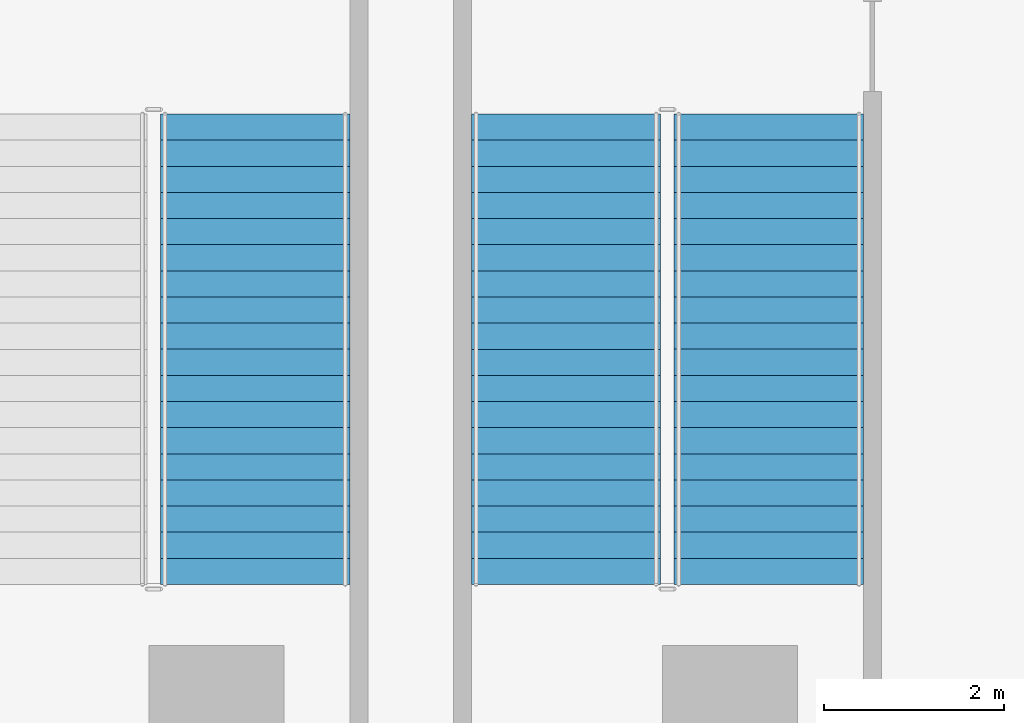
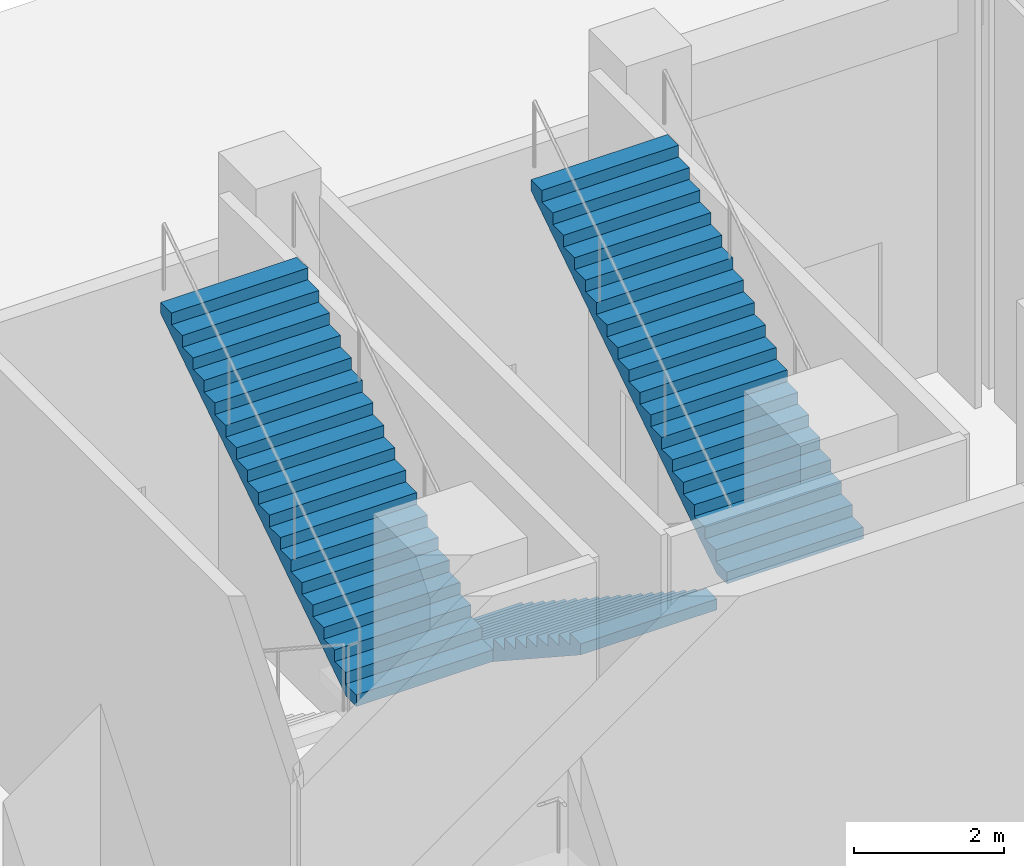
# One storey, part 22 of 27: 3 stair flights, 2 elements without a shape of their own.
"""IFC4 building model written with IfcOpenShell, lengths in metres."""

import ifcopenshell
import ifcopenshell.guid

model = None  # the IFC model being written
_history = None  # IfcOwnerHistory: only IFC2X3 demands one
_inside = {}  # id of a spatial element -> (the spatial element, [elements in it])
_under = {}  # id of a project, library or spatial element -> (it, [spatial elements below it])
_declared = {}  # id of a project -> (the project, [libraries it declares])
_typed = {}  # id of a type object -> (the type object, [elements of that type])
_made_of = {}  # id of a material, layer set ... -> (it, [elements and type objects made of it])


def new_model(schema):
    """Start an empty IFC model of exactly this schema.

    Asked for "IFC4X3", IfcOpenShell would pick the latest addendum, in which some entities
    have other attributes; the version numbers below select the first issue.
    IFC2X3 requires an IfcOwnerHistory on every rooted entity: one is made here for all.
    """
    global model, _history
    if schema == "IFC4X3":
        model = ifcopenshell.file(schema_version=(4, 3, 0, 0))
    else:
        model = ifcopenshell.file(schema=schema)
    _inside.clear()
    _under.clear()
    _declared.clear()
    _typed.clear()
    _made_of.clear()
    _history = None
    if model.schema == "IFC2X3":
        org = make("IfcOrganization", Name="unknown")
        user = make(
            "IfcPersonAndOrganization",
            ThePerson=make("IfcPerson", FamilyName="unknown"),
            TheOrganization=org,
        )
        app = make(
            "IfcApplication",
            ApplicationDeveloper=org,
            Version="unknown",
            ApplicationFullName="unknown",
            ApplicationIdentifier="unknown",
        )
        _history = make(
            "IfcOwnerHistory",
            OwningUser=user,
            OwningApplication=app,
            ChangeAction="ADDED",
            CreationDate=0,
        )
    return model


def make(cls, **values):
    """One entity of the class cls with the attributes given. An attribute that is None is left unset."""
    return model.create_entity(
        cls, **{name: value for name, value in values.items() if value is not None}
    )


def rooted(cls, **values):
    """An entity with a GlobalId (a new one), such as an element, a storey or a relation."""
    return make(cls, GlobalId=ifcopenshell.guid.new(), OwnerHistory=_history, **values)


def si_unit(unit_type, name, prefix=None):
    """IfcSIUnit, for example si_unit("LENGTHUNIT", "METRE", prefix="MILLI")."""
    return make("IfcSIUnit", UnitType=unit_type, Prefix=prefix, Name=name)


def assignment(units):
    """IfcUnitAssignment: the units of a project."""
    return None if units is None else make("IfcUnitAssignment", Units=units)


def point(xyz):
    """IfcCartesianPoint."""
    return None if xyz is None else make("IfcCartesianPoint", Coordinates=xyz)


def direction(xyz):
    """IfcDirection."""
    return None if xyz is None else make("IfcDirection", DirectionRatios=xyz)


def frame(location, z_axis=None, x_axis=None):
    """IfcAxis2Placement3D, a coordinate frame: its origin and axes. An axis left out is left unset."""
    return make(
        "IfcAxis2Placement3D",
        Location=point(location),
        Axis=direction(z_axis),
        RefDirection=direction(x_axis),
    )


def origin():
    """The frame at (0, 0, 0) with its axes left unset."""
    return frame((0.0, 0.0, 0.0))


def place(relative_to, where):
    """IfcLocalPlacement: puts the frame where relative to a parent placement (None: the world)."""
    return make(
        "IfcLocalPlacement", PlacementRelTo=relative_to, RelativePlacement=where
    )


def context(
    kind, dimensions, precision=None, world=None, true_north=None, identifier=None
):
    """IfcGeometricRepresentationContext, for example the 3D "Model" context."""
    return make(
        "IfcGeometricRepresentationContext",
        ContextIdentifier=identifier,
        ContextType=kind,
        CoordinateSpaceDimension=dimensions,
        Precision=precision,
        WorldCoordinateSystem=world,
        TrueNorth=true_north,
    )


def subcontext(parent, identifier, kind, view, scale=None):
    """IfcGeometricRepresentationSubContext, for example "Body" below "Model"."""
    return make(
        "IfcGeometricRepresentationSubContext",
        ContextIdentifier=identifier,
        ContextType=kind,
        ParentContext=parent,
        TargetScale=scale,
        TargetView=view,
    )


def project(units=None, contexts=None):
    """IfcProject with its units and contexts."""
    return rooted(
        "IfcProject",
        Name="project",
        RepresentationContexts=contexts,
        UnitsInContext=assignment(units),
    )


def spatial(cls, under=None, at=None, **own):
    """A site, building, storey or space (cls), placed at a placement, below another one or the project."""
    s = rooted(cls, ObjectPlacement=at, **own)
    if under is not None:
        _under.setdefault(under.id(), (under, []))[1].append(s)
    return s


def polyline(points):
    """IfcPolyline through the points."""
    return make("IfcPolyline", Points=[point(p) for p in points])


def outline(outer, holes=None, kind="AREA"):
    """IfcArbitraryClosedProfileDef: a profile drawn as a closed curve; with holes, ...WithVoids."""
    if holes is None:
        return make("IfcArbitraryClosedProfileDef", ProfileType=kind, OuterCurve=outer)
    return make(
        "IfcArbitraryProfileDefWithVoids",
        ProfileType=kind,
        OuterCurve=outer,
        InnerCurves=holes,
    )


def extrude(swept, where, along, depth):
    """IfcExtrudedAreaSolid: the profile swept, set in the frame where, extruded along a direction by depth."""
    return make(
        "IfcExtrudedAreaSolid",
        SweptArea=swept,
        Position=where,
        ExtrudedDirection=direction(along),
        Depth=depth,
    )


def shape(context_of_items, identifier, shape_type, items):
    """IfcShapeRepresentation: the items that make up one representation, for example the "Body"."""
    return make(
        "IfcShapeRepresentation",
        ContextOfItems=context_of_items,
        RepresentationIdentifier=identifier,
        RepresentationType=shape_type,
        Items=items,
    )


def material(Name=None, Category=None):
    """IfcMaterial."""
    return make("IfcMaterial", Name=Name, Category=Category)


def made_of(thing, what):
    """Note that an element or type object is made of a material, layer set ...; save() writes the relation."""
    if what is not None:
        _made_of.setdefault(what.id(), (what, []))[1].append(thing)
    return thing


def type_object(cls, material=None, **own):
    """A type object (cls), such as IfcWallType, which elements share."""
    return made_of(rooted(cls, **own), material)


def element(
    cls,
    number,
    at=None,
    inside=None,
    cuts=None,
    type_object=None,
    material=None,
    context=None,
    identifier="Body",
    shape_type=None,
    held_by="IfcProductDefinitionShape",
    body=None,
    shapes=None,
    **own,
):
    """One element of the class cls, such as IfcWall. Its Tag is "e" and its number.

    at: its placement. inside: the storey or other place that contains it. cuts: it is an
    opening in that element (IfcRelVoidsElement). A single representation is given by context,
    identifier, shape_type and body (its items); several are given by shapes. held_by: the class
    of the entity that holds the representations. save() writes the other relations.
    """
    e = rooted(cls, Tag="e%d" % number, ObjectPlacement=at, **own)
    if body is not None:
        shapes = [shape(context, identifier, shape_type, body)]
    if shapes is not None:
        e.Representation = make(held_by, Representations=shapes)
    if inside is not None:
        _inside.setdefault(inside.id(), (inside, []))[1].append(e)
    if cuts is not None:
        rooted(
            "IfcRelVoidsElement", RelatingBuildingElement=cuts, RelatedOpeningElement=e
        )
    if type_object is not None:
        _typed.setdefault(type_object.id(), (type_object, []))[1].append(e)
    return made_of(e, material)


def aggregate(whole, parts):
    """IfcRelAggregates: a whole, such as a stair, and the parts it consists of."""
    return rooted("IfcRelAggregates", RelatingObject=whole, RelatedObjects=parts)


def save(model, path):
    """Write the relations noted so far, then the file.

    IfcRelAggregates (storeys below a building ...), IfcRelContainedInSpatialStructure (elements
    in a storey), IfcRelDefinesByType, IfcRelAssociatesMaterial and IfcRelDeclares: one each for
    every whole, place, type object, material and project.
    """
    for whole, parts in _under.values():
        aggregate(whole, parts)
    for where, things in _inside.values():
        rooted(
            "IfcRelContainedInSpatialStructure",
            RelatedElements=things,
            RelatingStructure=where,
        )
    for kind, things in _typed.values():
        rooted("IfcRelDefinesByType", RelatedObjects=things, RelatingType=kind)
    for what, things in _made_of.values():
        rooted("IfcRelAssociatesMaterial", RelatedObjects=things, RelatingMaterial=what)
    for by, libraries in _declared.values():
        rooted("IfcRelDeclares", RelatingContext=by, RelatedDefinitions=libraries)
    model.write(path)


model = new_model("IFC4")

# Units and contexts
model_context = context("Model", 3, precision=1e-05, world=origin(), true_north=direction((0.0, 1.0)))
body_context = subcontext(model_context, "Body", "Model", "MODEL_VIEW")
ifc_project = project(units=[si_unit("LENGTHUNIT", "METRE"), si_unit("AREAUNIT", "SQUARE_METRE"), si_unit("VOLUMEUNIT", "CUBIC_METRE"), si_unit("PLANEANGLEUNIT", "RADIAN"), si_unit("MASSUNIT", "GRAM", prefix="KILO")], contexts=[model_context])

# Site, building, storey
site_placement = place(None, origin())
site = spatial("IfcSite", under=ifc_project, at=site_placement, CompositionType="ELEMENT")
building_placement = place(site_placement, origin())
building = spatial("IfcBuilding", under=site, at=building_placement, Name="Meshkara Civic Tower", CompositionType="ELEMENT")
storey_placement = place(building_placement, origin())
storey = spatial("IfcBuildingStorey", under=building, at=storey_placement, Name="L00", CompositionType="ELEMENT", Elevation=0.0)

# Stair, stair flight
ifc_material_1 = material(Name="Precast concrete C40/50", Category="concrete")
stair_type = type_object("IfcStairType", Name="Podium exit stair half-turn 38 risers 2100 wide precast", PredefinedType="HALF_TURN_STAIR", material=ifc_material_1)
stair_1_placement = place(storey_placement, origin())
stair_1 = element("IfcStair", 1, at=stair_1_placement, inside=storey, type_object=stair_type, Name="L00 podium exit stair PS1", PredefinedType="HALF_TURN_STAIR")
ifc_material_2 = material(Name="Precast concrete C40/50", Category="concrete")
stair_flight_type = type_object("IfcStairFlightType", Name="Podium exit stair flight 19 risers 2100 wide precast", PredefinedType="STRAIGHT", material=ifc_material_2)
stair_flight_1_placement = place(storey_placement, frame((9.735107421875, 84.199951171875, 3.60009765625), z_axis=(0.0, 0.0, 1.0), x_axis=(0.0, 1.0, 0.0)))
stair_flight_1 = element("IfcStairFlight", 2, at=stair_flight_1_placement, type_object=stair_flight_type, Name="PS1 flight 2", NumberOfRisers=19, NumberOfTreads=18, PredefinedType="STRAIGHT", RiserHeight=0.189473684, TreadLength=0.29, context=body_context, shape_type="SweptSolid", body=[
    extrude(outline(polyline([(0.0, 0.0), (0.0, 0.189453125), (0.2900390625, 0.189453125), (0.2900390625, 0.37890625), (0.580078125, 0.37890625), (0.580078125, 0.568359375), (0.8701171875, 0.568359375), (0.8701171875, 0.7578125), (1.159912109375, 0.7578125), (1.159912109375, 0.947265625), (1.449951171875, 0.947265625), (1.449951171875, 1.136962890625), (1.739990234375, 1.136962890625), (1.739990234375, 1.326416015625), (2.030029296875, 1.326416015625), (2.030029296875, 1.515869140625), (2.320068359375, 1.515869140625), (2.320068359375, 1.705322265625), (2.610107421875, 1.705322265625), (2.610107421875, 1.894775390625), (2.89990234375, 1.894775390625), (2.89990234375, 2.084228515625), (3.18994140625, 2.084228515625), (3.18994140625, 2.273681640625), (3.47998046875, 2.273681640625), (3.47998046875, 2.463134765625), (3.77001953125, 2.463134765625), (3.77001953125, 2.652587890625), (4.06005859375, 2.652587890625), (4.06005859375, 2.842041015625), (4.35009765625, 2.842041015625), (4.35009765625, 3.031494140625), (4.639892578125, 3.031494140625), (4.639892578125, 3.220947265625), (4.929931640625, 3.220947265625), (4.929931640625, 3.41064453125), (5.219970703125, 3.41064453125), (5.219970703125, 3.60009765625), (5.219970703125, 3.2314453125), (0.274169921875, 0.0), (0.0, 0.0)])), frame((0.0, 1.050048828125, 0.0), z_axis=(0.0, -1.0, 0.0), x_axis=(1.0, 0.0, 0.0)), (0.0, 0.0, 1.0), 2.10009765625),
])
aggregate(stair_1, [stair_flight_1])

# Stair, stair flights
stair_2_placement = place(storey_placement, origin())
stair_2 = element("IfcStair", 3, at=stair_2_placement, inside=storey, type_object=stair_type, Name="L00 podium exit stair PS2", PredefinedType="HALF_TURN_STAIR")
stair_flight_2_placement = place(storey_placement, frame((13.18505859375, 89.419921875, 0.0), z_axis=(0.0, 0.0, 1.0), x_axis=(0.0, -1.0, 0.0)))
stair_flight_2 = element("IfcStairFlight", 4, at=stair_flight_2_placement, type_object=stair_flight_type, Name="PS2 flight 1", NumberOfRisers=19, NumberOfTreads=18, PredefinedType="STRAIGHT", RiserHeight=0.189473684, TreadLength=0.29, context=body_context, shape_type="SweptSolid", body=[
    extrude(outline(polyline([(0.0, 0.0), (0.0, 0.189453125), (0.2900390625, 0.189453125), (0.2900390625, 0.37890625), (0.580078125, 0.37890625), (0.580078125, 0.568359375), (0.8701171875, 0.568359375), (0.8701171875, 0.7578125), (1.159912109375, 0.7578125), (1.159912109375, 0.947265625), (1.449951171875, 0.947265625), (1.449951171875, 1.136962890625), (1.739990234375, 1.136962890625), (1.739990234375, 1.326416015625), (2.030029296875, 1.326416015625), (2.030029296875, 1.515869140625), (2.320068359375, 1.515869140625), (2.320068359375, 1.705322265625), (2.610107421875, 1.705322265625), (2.610107421875, 1.894775390625), (2.89990234375, 1.894775390625), (2.89990234375, 2.084228515625), (3.18994140625, 2.084228515625), (3.18994140625, 2.273681640625), (3.47998046875, 2.273681640625), (3.47998046875, 2.463134765625), (3.77001953125, 2.463134765625), (3.77001953125, 2.652587890625), (4.06005859375, 2.652587890625), (4.06005859375, 2.842041015625), (4.35009765625, 2.842041015625), (4.35009765625, 3.031494140625), (4.639892578125, 3.031494140625), (4.639892578125, 3.220947265625), (4.929931640625, 3.220947265625), (4.929931640625, 3.41064453125), (5.219970703125, 3.41064453125), (5.219970703125, 3.60009765625), (5.219970703125, 3.2314453125), (0.274169921875, 0.0), (0.0, 0.0)])), frame((0.0, 1.050048828125, 0.0), z_axis=(0.0, -1.0, 0.0), x_axis=(1.0, 0.0, 0.0)), (0.0, 0.0, 1.0), 2.10009765625),
])
stair_flight_3_placement = place(storey_placement, frame((15.43505859375, 84.199951171875, 3.60009765625), z_axis=(0.0, 0.0, 1.0), x_axis=(0.0, 1.0, 0.0)))
stair_flight_3 = element("IfcStairFlight", 5, at=stair_flight_3_placement, type_object=stair_flight_type, Name="PS2 flight 2", NumberOfRisers=19, NumberOfTreads=18, PredefinedType="STRAIGHT", RiserHeight=0.189473684, TreadLength=0.29, context=body_context, shape_type="SweptSolid", body=[
    extrude(outline(polyline([(0.0, 0.0), (0.0, 0.189453125), (0.2900390625, 0.189453125), (0.2900390625, 0.37890625), (0.580078125, 0.37890625), (0.580078125, 0.568359375), (0.8701171875, 0.568359375), (0.8701171875, 0.7578125), (1.159912109375, 0.7578125), (1.159912109375, 0.947265625), (1.449951171875, 0.947265625), (1.449951171875, 1.136962890625), (1.739990234375, 1.136962890625), (1.739990234375, 1.326416015625), (2.030029296875, 1.326416015625), (2.030029296875, 1.515869140625), (2.320068359375, 1.515869140625), (2.320068359375, 1.705322265625), (2.610107421875, 1.705322265625), (2.610107421875, 1.894775390625), (2.89990234375, 1.894775390625), (2.89990234375, 2.084228515625), (3.18994140625, 2.084228515625), (3.18994140625, 2.273681640625), (3.47998046875, 2.273681640625), (3.47998046875, 2.463134765625), (3.77001953125, 2.463134765625), (3.77001953125, 2.652587890625), (4.06005859375, 2.652587890625), (4.06005859375, 2.842041015625), (4.35009765625, 2.842041015625), (4.35009765625, 3.031494140625), (4.639892578125, 3.031494140625), (4.639892578125, 3.220947265625), (4.929931640625, 3.220947265625), (4.929931640625, 3.41064453125), (5.219970703125, 3.41064453125), (5.219970703125, 3.60009765625), (5.219970703125, 3.2314453125), (0.274169921875, 0.0), (0.0, 0.0)])), frame((0.0, 1.050048828125, 0.0), z_axis=(0.0, -1.0, 0.0), x_axis=(1.0, 0.0, 0.0)), (0.0, 0.0, 1.0), 2.10009765625),
])
aggregate(stair_2, [stair_flight_2, stair_flight_3])

save(model, "model.ifc")
